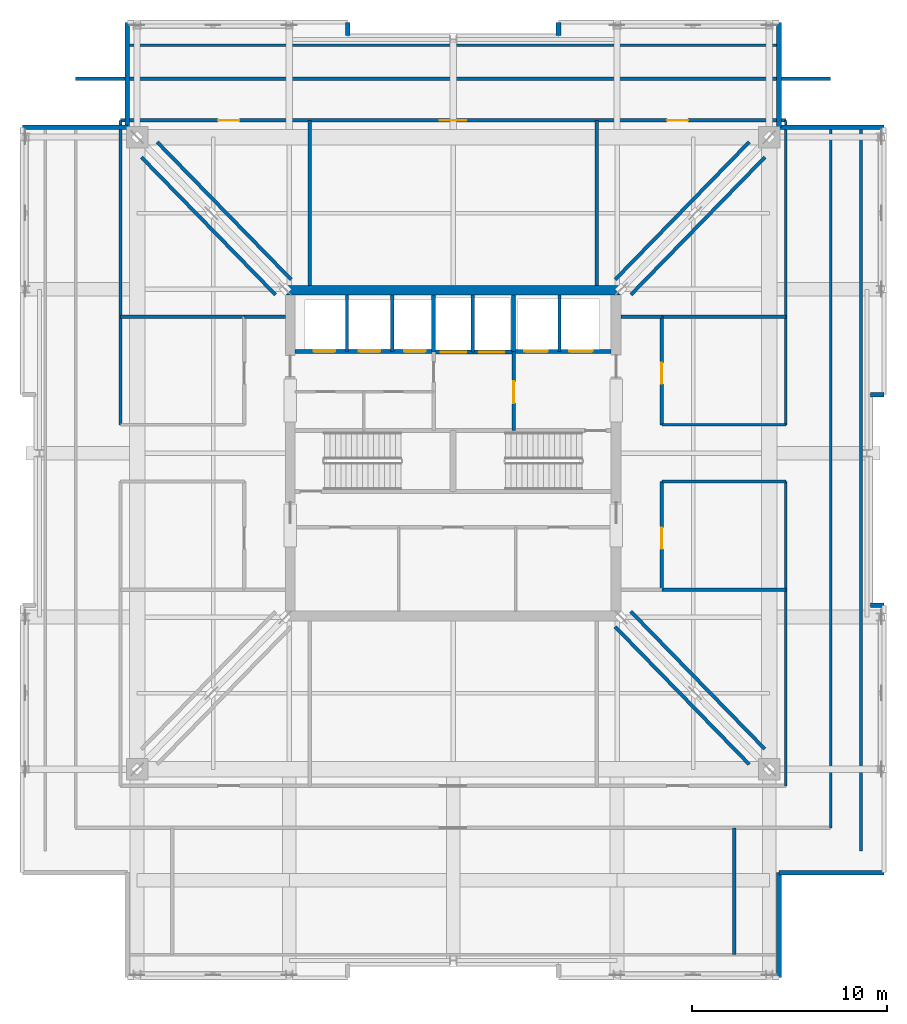
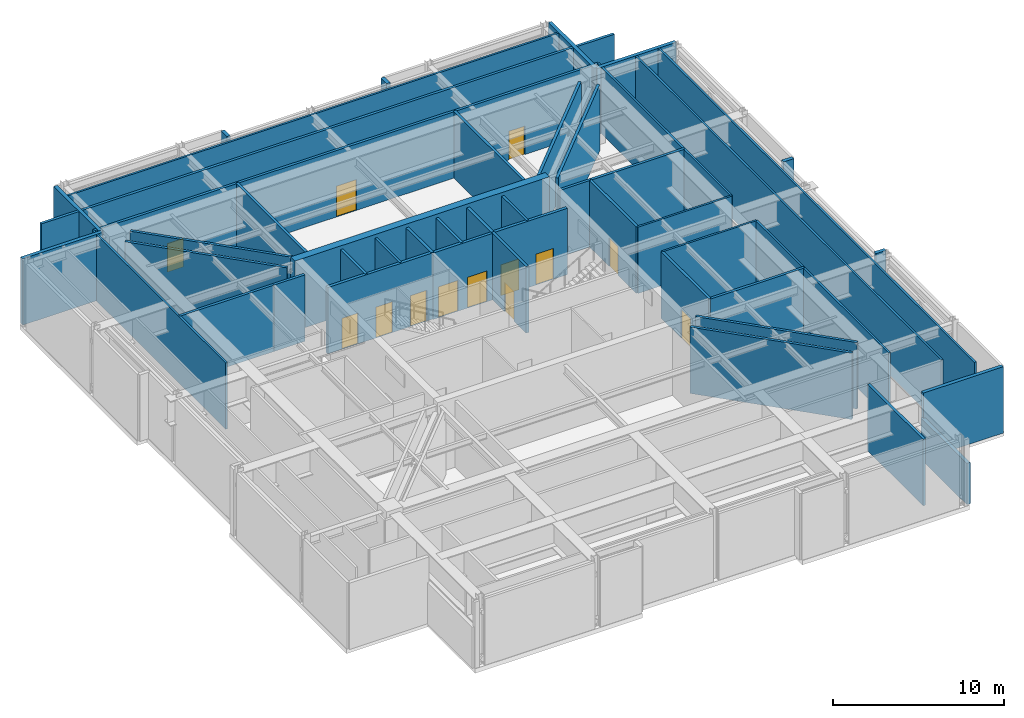
# One storey, part 6 of 10: 47 walls, 13 doors, 13 openings.
"""IFC4 building model written with IfcOpenShell, lengths in metres."""

from ifc_helpers import new_model, si_unit, direction, frame, frame_2d, origin, place, context, subcontext, project, spatial, rectangle, extrude, material, layer, layer_set, type_object, element, fill, save


model = new_model("IFC4")

# Units and contexts
model_context = context("Model", 3, precision=1e-05, world=origin(), true_north=direction((0.0, 1.0)))
body_context = subcontext(model_context, "Body", "Model", "MODEL_VIEW")
ifc_project = project(units=[si_unit("LENGTHUNIT", "METRE"), si_unit("AREAUNIT", "SQUARE_METRE"), si_unit("VOLUMEUNIT", "CUBIC_METRE"), si_unit("PLANEANGLEUNIT", "RADIAN"), si_unit("MASSUNIT", "GRAM", prefix="KILO")], contexts=[model_context])

# Site, building, storey
site_placement = place(None, origin())
site = spatial("IfcSite", under=ifc_project, at=site_placement, CompositionType="ELEMENT")
building_placement = place(site_placement, origin())
building = spatial("IfcBuilding", under=site, at=building_placement, Name="Drelvath Grand Hotel", CompositionType="ELEMENT")
storey_placement = place(building_placement, frame((0.0, 0.0, 260.0)))
storey = spatial("IfcBuildingStorey", under=building, at=storey_placement, Name="L68", CompositionType="ELEMENT", Elevation=260.0)

# Wall, openings, doors
ifc_material_1 = material(Name="Concrete C40/50", Category="concrete")
ifc_layer_1 = layer(ifc_material_1, 0.199951171875)
ifc_layer_set_1 = layer_set([ifc_layer_1], Name="Concrete C40/50")
wall_type_1 = type_object("IfcWallType", Name="Core Hoistway Fire Wall 200", PredefinedType="SOLIDWALL", material=ifc_layer_set_1)
wall_1_placement = place(storey_placement, frame((3.10009765625, 32.219970703125, 0.0), z_axis=(0.0, 0.0, 1.0), x_axis=(1.0, 0.0, 0.0)))
wall_1 = element("IfcWall", 1, at=wall_1_placement, inside=storey, type_object=wall_type_1, Name="L68 FSAE Hoistway Front Wall", PredefinedType="SOLIDWALL", context=body_context, shape_type="SweptSolid", body=[
    extrude(rectangle(XDim=5.0, YDim=0.199951171875, at=frame_2d((2.5, 0.0))), origin(), (0.0, 0.0, 1.0), 4.739990234375),
])
opening_1_placement = place(wall_1_placement, frame((0.550048828125, 0.0, 0.0)))
opening_1 = element("IfcOpeningElement", 2, at=opening_1_placement, cuts=wall_1, Name="Opening LD-FSAE-1", PredefinedType="OPENING", context=body_context, shape_type="SweptSolid", body=[
    extrude(rectangle(XDim=1.199951171875, YDim=2.199951171875, at=frame_2d((0.60009765625, 1.10009765625))), frame((0.0, 0.10986328125, 0.0), z_axis=(0.0, -1.0, 0.0), x_axis=(1.0, 0.0, 0.0)), (0.0, 0.0, 1.0), 0.219970703125),
])
opening_2_placement = place(wall_1_placement, frame((2.85009765625, 0.0, 0.0)))
opening_2 = element("IfcOpeningElement", 3, at=opening_2_placement, cuts=wall_1, Name="Opening LD-FSAE-2", PredefinedType="OPENING", context=body_context, shape_type="SweptSolid", body=[
    extrude(rectangle(XDim=1.199951171875, YDim=2.199951171875, at=frame_2d((0.60009765625, 1.10009765625))), frame((0.0, 0.10986328125, 0.0), z_axis=(0.0, -1.0, 0.0), x_axis=(1.0, 0.0, 0.0)), (0.0, 0.0, 1.0), 0.219970703125),
])
ifc_material_2 = material(Name="Stainless Steel S355", Category="steel")
door_type_1 = type_object("IfcDoorType", Name="FSAE Lift Sliding Landing Door 1200x2200", OperationType="NOTDEFINED", PredefinedType="DOOR", material=ifc_material_2)
door_1_placement = place(opening_1_placement, origin())
door_1 = element("IfcDoor", 4, at=door_1_placement, inside=storey, type_object=door_type_1, Name="L68 Lift FSAE-1 Landing Door", OperationType="SLIDING_TO_LEFT", OverallHeight=2.199951171875, OverallWidth=1.199951171875, PredefinedType="DOOR", context=body_context, shape_type="SweptSolid", body=[
    extrude(rectangle(XDim=1.199951171875, YDim=2.199951171875, at=frame_2d((0.60009765625, 1.10009765625))), frame((0.0, 0.02490234375, 0.0), z_axis=(0.0, -1.0, 0.0), x_axis=(1.0, 0.0, 0.0)), (0.0, 0.0, 1.0), 0.050048828125),
])
fill(opening_1, door_1)
door_2_placement = place(opening_2_placement, origin())
door_2 = element("IfcDoor", 5, at=door_2_placement, inside=storey, type_object=door_type_1, Name="L68 Lift FSAE-2 Landing Door", OperationType="SLIDING_TO_LEFT", OverallHeight=2.199951171875, OverallWidth=1.199951171875, PredefinedType="DOOR", context=body_context, shape_type="SweptSolid", body=[
    extrude(rectangle(XDim=1.199951171875, YDim=2.199951171875, at=frame_2d((0.60009765625, 1.10009765625))), frame((0.0, 0.02490234375, 0.0), z_axis=(0.0, -1.0, 0.0), x_axis=(1.0, 0.0, 0.0)), (0.0, 0.0, 1.0), 0.050048828125),
])
fill(opening_2, door_2)

# Wall
wall_2_placement = place(storey_placement, frame((3.10009765625, 32.219970703125, 0.0), z_axis=(0.0, 0.0, 1.0), x_axis=(0.0, 1.0, 0.0)))
element("IfcWall", 6, at=wall_2_placement, inside=storey, type_object=wall_type_1, Name="L68 FSAE Hoistway West Wall", PredefinedType="SOLIDWALL", context=body_context, shape_type="SweptSolid", body=[
    extrude(rectangle(XDim=2.880126953125, YDim=0.199951171875, at=frame_2d((1.43994140625, 0.0))), origin(), (0.0, 0.0, 1.0), 4.739990234375),
])

# Wall, openings, doors
wall_3_placement = place(storey_placement, frame((-1.0, 32.179931640625, 0.0), z_axis=(0.0, 0.0, 1.0), x_axis=(1.0, 0.0, 0.0)))
wall_3 = element("IfcWall", 7, at=wall_3_placement, inside=storey, type_object=wall_type_1, Name="L68 Service Lift Hoistway Wall", PredefinedType="SOLIDWALL", context=body_context, shape_type="SweptSolid", body=[
    extrude(rectangle(XDim=4.10009765625, YDim=0.199951171875, at=frame_2d((2.050048828125, 0.0))), origin(), (0.0, 0.0, 1.0), 4.739990234375),
])
opening_3_placement = place(wall_3_placement, frame((0.3701171875, 0.0, 0.0)))
opening_3 = element("IfcOpeningElement", 8, at=opening_3_placement, cuts=wall_3, Name="Opening LD-SV-2", PredefinedType="OPENING", context=body_context, shape_type="SweptSolid", body=[
    extrude(rectangle(XDim=1.300048828125, YDim=2.199951171875, at=frame_2d((0.64990234375, 1.10009765625))), frame((0.0, 0.10986328125, 0.0), z_axis=(0.0, -1.0, 0.0), x_axis=(1.0, 0.0, 0.0)), (0.0, 0.0, 1.0), 0.219970703125),
])
opening_4_placement = place(wall_3_placement, frame((2.330078125, 0.0, 0.0)))
opening_4 = element("IfcOpeningElement", 9, at=opening_4_placement, cuts=wall_3, Name="Opening LD-SV-1", PredefinedType="OPENING", context=body_context, shape_type="SweptSolid", body=[
    extrude(rectangle(XDim=1.300048828125, YDim=2.199951171875, at=frame_2d((0.64990234375, 1.10009765625))), frame((0.0, 0.10986328125, 0.0), z_axis=(0.0, -1.0, 0.0), x_axis=(1.0, 0.0, 0.0)), (0.0, 0.0, 1.0), 0.219970703125),
])
door_type_2 = type_object("IfcDoorType", Name="Service Lift Sliding Landing Door 1300x2200", OperationType="NOTDEFINED", PredefinedType="DOOR", material=ifc_material_2)
door_3_placement = place(opening_3_placement, origin())
door_3 = element("IfcDoor", 10, at=door_3_placement, inside=storey, type_object=door_type_2, Name="L68 Lift SV-2 Landing Door", OperationType="SLIDING_TO_LEFT", OverallHeight=2.199951171875, OverallWidth=1.300048828125, PredefinedType="DOOR", context=body_context, shape_type="SweptSolid", body=[
    extrude(rectangle(XDim=1.300048828125, YDim=2.199951171875, at=frame_2d((0.64990234375, 1.10009765625))), frame((0.0, 0.02490234375, 0.0), z_axis=(0.0, -1.0, 0.0), x_axis=(1.0, 0.0, 0.0)), (0.0, 0.0, 1.0), 0.050048828125),
])
fill(opening_3, door_3)
door_4_placement = place(opening_4_placement, origin())
door_4 = element("IfcDoor", 11, at=door_4_placement, inside=storey, type_object=door_type_2, Name="L68 Lift SV-1 Landing Door", OperationType="SLIDING_TO_LEFT", OverallHeight=2.199951171875, OverallWidth=1.300048828125, PredefinedType="DOOR", context=body_context, shape_type="SweptSolid", body=[
    extrude(rectangle(XDim=1.300048828125, YDim=2.199951171875, at=frame_2d((0.64990234375, 1.10009765625))), frame((0.0, 0.02490234375, 0.0), z_axis=(0.0, -1.0, 0.0), x_axis=(1.0, 0.0, 0.0)), (0.0, 0.0, 1.0), 0.050048828125),
])
fill(opening_4, door_4)

# Wall
wall_4_placement = place(storey_placement, frame((-1.0, 32.179931640625, 0.0), z_axis=(0.0, 0.0, 1.0), x_axis=(0.0, 1.0, 0.0)))
element("IfcWall", 12, at=wall_4_placement, inside=storey, type_object=wall_type_1, Name="L68 Service Lift West Wall", PredefinedType="SOLIDWALL", context=body_context, shape_type="SweptSolid", body=[
    extrude(rectangle(XDim=2.920166015625, YDim=0.199951171875, at=frame_2d((1.4599609375, 0.0))), origin(), (0.0, 0.0, 1.0), 4.739990234375),
])

# Wall, openings, doors
wall_5_placement = place(storey_placement, frame((-8.10009765625, 32.219970703125, 0.0), z_axis=(0.0, 0.0, 1.0), x_axis=(1.0, 0.0, 0.0)))
wall_5 = element("IfcWall", 13, at=wall_5_placement, inside=storey, type_object=wall_type_1, Name="L68 Bank 3 Hoistway Wall", PredefinedType="SOLIDWALL", context=body_context, shape_type="SweptSolid", body=[
    extrude(rectangle(XDim=7.10009765625, YDim=0.199951171875, at=frame_2d((3.550048828125, 0.0))), origin(), (0.0, 0.0, 1.0), 4.739990234375),
])
opening_5_placement = place(wall_5_placement, frame((0.949951171875, 0.0, 0.0)))
opening_5 = element("IfcOpeningElement", 14, at=opening_5_placement, cuts=wall_5, Name="Opening LD-PE-7", PredefinedType="OPENING", context=body_context, shape_type="SweptSolid", body=[
    extrude(rectangle(XDim=1.10009765625, YDim=2.199951171875, at=frame_2d((0.550048828125, 1.10009765625))), frame((0.0, 0.10986328125, 0.0), z_axis=(0.0, -1.0, 0.0), x_axis=(1.0, 0.0, 0.0)), (0.0, 0.0, 1.0), 0.219970703125),
])
opening_6_placement = place(wall_5_placement, frame((3.27001953125, 0.0, 0.0)))
opening_6 = element("IfcOpeningElement", 15, at=opening_6_placement, cuts=wall_5, Name="Opening LD-PE-8", PredefinedType="OPENING", context=body_context, shape_type="SweptSolid", body=[
    extrude(rectangle(XDim=1.10009765625, YDim=2.199951171875, at=frame_2d((0.550048828125, 1.10009765625))), frame((0.0, 0.10986328125, 0.0), z_axis=(0.0, -1.0, 0.0), x_axis=(1.0, 0.0, 0.0)), (0.0, 0.0, 1.0), 0.219970703125),
])
opening_7_placement = place(wall_5_placement, frame((5.590087890625, 0.0, 0.0)))
opening_7 = element("IfcOpeningElement", 16, at=opening_7_placement, cuts=wall_5, Name="Opening LD-PE-9", PredefinedType="OPENING", context=body_context, shape_type="SweptSolid", body=[
    extrude(rectangle(XDim=1.10009765625, YDim=2.199951171875, at=frame_2d((0.550048828125, 1.10009765625))), frame((0.0, 0.10986328125, 0.0), z_axis=(0.0, -1.0, 0.0), x_axis=(1.0, 0.0, 0.0)), (0.0, 0.0, 1.0), 0.219970703125),
])
door_type_3 = type_object("IfcDoorType", Name="Passenger Lift Sliding Landing Door 1100x2200", OperationType="NOTDEFINED", PredefinedType="DOOR", material=ifc_material_2)
door_5_placement = place(opening_5_placement, origin())
door_5 = element("IfcDoor", 17, at=door_5_placement, inside=storey, type_object=door_type_3, Name="L68 Lift PE-7 Landing Door", OperationType="SLIDING_TO_LEFT", OverallHeight=2.199951171875, OverallWidth=1.10009765625, PredefinedType="DOOR", context=body_context, shape_type="SweptSolid", body=[
    extrude(rectangle(XDim=1.10009765625, YDim=2.199951171875, at=frame_2d((0.550048828125, 1.10009765625))), frame((0.0, 0.02490234375, 0.0), z_axis=(0.0, -1.0, 0.0), x_axis=(1.0, 0.0, 0.0)), (0.0, 0.0, 1.0), 0.050048828125),
])
fill(opening_5, door_5)
door_6_placement = place(opening_6_placement, origin())
door_6 = element("IfcDoor", 18, at=door_6_placement, inside=storey, type_object=door_type_3, Name="L68 Lift PE-8 Landing Door", OperationType="SLIDING_TO_LEFT", OverallHeight=2.199951171875, OverallWidth=1.10009765625, PredefinedType="DOOR", context=body_context, shape_type="SweptSolid", body=[
    extrude(rectangle(XDim=1.10009765625, YDim=2.199951171875, at=frame_2d((0.550048828125, 1.10009765625))), frame((0.0, 0.02490234375, 0.0), z_axis=(0.0, -1.0, 0.0), x_axis=(1.0, 0.0, 0.0)), (0.0, 0.0, 1.0), 0.050048828125),
])
fill(opening_6, door_6)
door_7_placement = place(opening_7_placement, origin())
door_7 = element("IfcDoor", 19, at=door_7_placement, inside=storey, type_object=door_type_3, Name="L68 Lift PE-9 Landing Door", OperationType="SLIDING_TO_LEFT", OverallHeight=2.199951171875, OverallWidth=1.10009765625, PredefinedType="DOOR", context=body_context, shape_type="SweptSolid", body=[
    extrude(rectangle(XDim=1.10009765625, YDim=2.199951171875, at=frame_2d((0.550048828125, 1.10009765625))), frame((0.0, 0.02490234375, 0.0), z_axis=(0.0, -1.0, 0.0), x_axis=(1.0, 0.0, 0.0)), (0.0, 0.0, 1.0), 0.050048828125),
])
fill(opening_7, door_7)

# Walls
ifc_material_3 = material(Name="Gypsum Fireboard Partition")
ifc_layer_2 = layer(ifc_material_3, 0.1650390625)
ifc_layer_set_2 = layer_set([ifc_layer_2], Name="Gypsum Fireboard Partition")
wall_type_2 = type_object("IfcWallType", Name="Core Shaft Partition 165", PredefinedType="PARTITIONING", material=ifc_layer_set_2)
wall_6_placement = place(storey_placement, frame((5.449951171875, 32.219970703125, 0.0), z_axis=(0.0, 0.0, 1.0), x_axis=(0.0, 1.0, 0.0)))
element("IfcWall", 20, at=wall_6_placement, inside=storey, type_object=wall_type_2, Name="L68 FSAE Hoistway Divider", PredefinedType="PARTITIONING", context=body_context, shape_type="SweptSolid", body=[
    extrude(rectangle(XDim=2.880126953125, YDim=0.1650390625, at=frame_2d((1.43994140625, 0.0))), origin(), (0.0, 0.0, 1.0), 4.739990234375),
])
wall_7_placement = place(storey_placement, frame((1.0, 32.179931640625, 0.0), z_axis=(0.0, 0.0, 1.0), x_axis=(0.0, 1.0, 0.0)))
element("IfcWall", 21, at=wall_7_placement, inside=storey, type_object=wall_type_2, Name="L68 Service Lift Divider", PredefinedType="PARTITIONING", context=body_context, shape_type="SweptSolid", body=[
    extrude(rectangle(XDim=2.920166015625, YDim=0.1650390625, at=frame_2d((1.4599609375, 0.0))), origin(), (0.0, 0.0, 1.0), 4.739990234375),
])
for number, where, z_axis, x_axis, name in (
    (22, (-5.43994140625, 32.219970703125, 0.0), (0.0, 0.0, 1.0), (0.0, 1.0, 0.0), "L68 Lift PE-7/8 Divider"),
    (23, (-3.1201171875, 32.219970703125, 0.0), (0.0, 0.0, 1.0), (0.0, 1.0, 0.0), "L68 Lift PE-8/9 Divider"),
):
    element("IfcWall", number, at=place(storey_placement, frame(where, z_axis=z_axis, x_axis=x_axis)), inside=storey, type_object=wall_type_2, Name=name, PredefinedType="PARTITIONING", context=body_context, shape_type="SweptSolid", body=[
        extrude(rectangle(XDim=2.880126953125, YDim=0.1650390625, at=frame_2d((1.43994140625, 0.0))), origin(), (0.0, 0.0, 1.0), 4.739990234375),
    ])
ifc_layer_3 = layer(ifc_material_3, 0.135009765625)
ifc_layer_set_3 = layer_set([ifc_layer_3], Name="Gypsum Fireboard Partition")
wall_type_3 = type_object("IfcWallType", Name="Corridor Fire Barrier Wall 135", PredefinedType="PARTITIONING", material=ifc_layer_set_3)
wall_8_placement = place(storey_placement, frame((20.89990234375, 6.60009765625, 0.0), z_axis=(0.0, 0.0, 1.0), x_axis=(0.0, 1.0, 0.0)))
element("IfcWall", 24, at=wall_8_placement, inside=storey, type_object=wall_type_3, Name="L68 East Belt Plenum Wall", PredefinedType="PARTITIONING", context=body_context, shape_type="SweptSolid", body=[
    extrude(rectangle(XDim=36.97998046875, YDim=0.135009765625, at=frame_2d((18.489990234375, 0.0))), origin(), (0.0, 0.0, 1.0), 4.739990234375),
])
wall_9_placement = place(storey_placement, frame((-16.580078125, 47.89990234375, 0.0), z_axis=(0.0, 0.0, 1.0), x_axis=(1.0, 0.0, 0.0)))
element("IfcWall", 25, at=wall_9_placement, inside=storey, type_object=wall_type_3, Name="L68 North Belt Plenum Wall", PredefinedType="PARTITIONING", context=body_context, shape_type="SweptSolid", body=[
    extrude(rectangle(XDim=33.16015625, YDim=0.135009765625, at=frame_2d((16.580078125, 0.0))), origin(), (0.0, 0.0, 1.0), 4.739990234375),
])
for number, where, z_axis, x_axis, name in (
    (26, (10.699951171875, 25.550048828125, 0.0), (0.0, 0.0, 1.0), (1.0, 0.0, 0.0), "L68 East Cross-Arm South Wall"),
    (27, (10.699951171875, 28.449951171875, 0.0), (0.0, 0.0, 1.0), (1.0, 0.0, 0.0), "L68 East Cross-Arm North Wall"),
):
    element("IfcWall", number, at=place(storey_placement, frame(where, z_axis=z_axis, x_axis=x_axis)), inside=storey, type_object=wall_type_3, Name=name, PredefinedType="PARTITIONING", context=body_context, shape_type="SweptSolid", body=[
        extrude(rectangle(XDim=6.35009765625, YDim=0.135009765625, at=frame_2d((3.175048828125, 0.0))), origin(), (0.0, 0.0, 1.0), 4.739990234375),
    ])
wall_10_placement = place(storey_placement, frame((-17.050048828125, 28.449951171875, 0.0), z_axis=(0.0, 0.0, 1.0), x_axis=(0.0, 1.0, 0.0)))
element("IfcWall", 28, at=wall_10_placement, inside=storey, type_object=wall_type_3, Name="L68 West Outer Leg Inner N", PredefinedType="PARTITIONING", context=body_context, shape_type="SweptSolid", body=[
    extrude(rectangle(XDim=15.60009765625, YDim=0.135009765625, at=frame_2d((7.800048828125, 0.0))), origin(), (0.0, 0.0, 1.0), 4.739990234375),
])
wall_11_placement = place(storey_placement, frame((19.35009765625, 7.800048828125, 0.0), z_axis=(0.0, 0.0, 1.0), x_axis=(0.0, 1.0, 0.0)))
element("IfcWall", 29, at=wall_11_placement, inside=storey, type_object=wall_type_3, Name="L68 East Outer Leg Outer Wall", PredefinedType="PARTITIONING", context=body_context, shape_type="SweptSolid", body=[
    extrude(rectangle(XDim=35.780029296875, YDim=0.135009765625, at=frame_2d((17.89013671875, 0.0))), origin(), (0.0, 0.0, 1.0), 4.739990234375),
])
for number, where, z_axis, x_axis, name in (
    (30, (17.050048828125, 9.949951171875, 0.0), (0.0, 0.0, 1.0), (0.0, 1.0, 0.0), "L68 East Outer Leg Inner S"),
    (31, (17.050048828125, 28.449951171875, 0.0), (0.0, 0.0, 1.0), (0.0, 1.0, 0.0), "L68 East Outer Leg Inner N"),
):
    element("IfcWall", number, at=place(storey_placement, frame(where, z_axis=z_axis, x_axis=x_axis)), inside=storey, type_object=wall_type_3, Name=name, PredefinedType="PARTITIONING", context=body_context, shape_type="SweptSolid", body=[
        extrude(rectangle(XDim=15.60009765625, YDim=0.135009765625, at=frame_2d((7.800048828125, 0.0))), origin(), (0.0, 0.0, 1.0), 4.739990234375),
    ])

# Wall, opening, door
ifc_layer_4 = layer(ifc_material_3, 0.179931640625)
ifc_layer_set_4 = layer_set([ifc_layer_4], Name="Gypsum Fireboard Partition")
wall_type_4 = type_object("IfcWallType", Name="FSAE Smoke Lobby Fire Wall 180", PredefinedType="SOLIDWALL", material=ifc_layer_set_4)
wall_12_placement = place(storey_placement, frame((3.10009765625, 28.159912109375, 0.0), z_axis=(0.0, 0.0, 1.0), x_axis=(0.0, 1.0, 0.0)))
wall_12 = element("IfcWall", 32, at=wall_12_placement, inside=storey, type_object=wall_type_4, Name="L68 FSAE Smoke Lobby West Wall", PredefinedType="SOLIDWALL", context=body_context, shape_type="SweptSolid", body=[
    extrude(rectangle(XDim=4.06005859375, YDim=0.179931640625, at=frame_2d((2.030029296875, 0.0))), origin(), (0.0, 0.0, 1.0), 4.739990234375),
])
opening_8_placement = place(wall_12_placement, frame((1.39990234375, 0.0, 0.0)))
opening_8 = element("IfcOpeningElement", 33, at=opening_8_placement, cuts=wall_12, Name="Opening D-L68-005", PredefinedType="OPENING", context=body_context, shape_type="SweptSolid", body=[
    extrude(rectangle(XDim=1.1201171875, YDim=2.10009765625, at=frame_2d((0.56005859375, 1.050048828125))), frame((0.0, 0.099853515625, 0.0), z_axis=(0.0, -1.0, 0.0), x_axis=(1.0, 0.0, 0.0)), (0.0, 0.0, 1.0), 0.199951171875),
])
ifc_material_4 = material(Name="Painted Steel S275", Category="steel")
door_type_4 = type_object("IfcDoorType", Name="FSAE Smoke Lobby Fire Door 1120x2100", OperationType="NOTDEFINED", PredefinedType="DOOR", material=ifc_material_4)
door_8_placement = place(opening_8_placement, origin())
door_8 = element("IfcDoor", 34, at=door_8_placement, inside=storey, type_object=door_type_4, Name="L68 FSAE Lobby Service Vestibule Door", OperationType="SINGLE_SWING_RIGHT", OverallHeight=2.10009765625, OverallWidth=1.1201171875, PredefinedType="DOOR", context=body_context, shape_type="SweptSolid", body=[
    extrude(rectangle(XDim=1.1201171875, YDim=2.10009765625, at=frame_2d((0.56005859375, 1.050048828125))), frame((0.0, 0.02490234375, 0.0), z_axis=(0.0, -1.0, 0.0), x_axis=(1.0, 0.0, 0.0)), (0.0, 0.0, 1.0), 0.050048828125),
])
fill(opening_8, door_8)

# Walls
for number, where, z_axis, x_axis, name in (
    (35, (8.3037109375, 18.101806640625, 0.0), (0.0, 0.0, 1.0), (0.697854936738, -0.716239127157, 0.0), "L68 Truss SE Fire Bulkhead A"),
    (36, (9.105712890625, 18.88330078125, 0.0), (0.0, 0.0, 1.0), (0.697867337648, -0.71622704434, 0.0), "L68 Truss SE Fire Bulkhead B"),
    (37, (-8.3037109375, 35.898193359375, 0.0), (0.0, 0.0, 1.0), (-0.697854936738, 0.716239127157, 0.0), "L68 Truss NW Fire Bulkhead A"),
    (38, (-9.105712890625, 35.11669921875, 0.0), (0.0, 0.0, 1.0), (-0.697867337648, 0.71622704434, 0.0), "L68 Truss NW Fire Bulkhead B"),
    (39, (9.105712890625, 35.11669921875, 0.0), (0.0, 0.0, 1.0), (0.697867337648, 0.71622704434, 0.0), "L68 Truss NE Fire Bulkhead A"),
    (40, (8.3037109375, 35.898193359375, 0.0), (0.0, 0.0, 1.0), (0.697854936738, 0.716239127157, 0.0), "L68 Truss NE Fire Bulkhead B"),
):
    element("IfcWall", number, at=place(storey_placement, frame(where, z_axis=z_axis, x_axis=x_axis)), inside=storey, type_object=wall_type_4, Name=name, PredefinedType="SOLIDWALL", context=body_context, shape_type="SweptSolid", body=[
        extrude(rectangle(XDim=9.84033203125, YDim=0.179931640625, at=frame_2d((4.920166015625, 0.0))), origin(), (0.0, 0.0, 1.0), 4.739990234375),
    ])
wall_13_placement = place(storey_placement, frame((-10.699951171875, 34.0, 0.0), z_axis=(0.0, 0.0, 1.0), x_axis=(1.0, 0.0, 0.0)))
element("IfcWall", 41, at=wall_13_placement, inside=storey, type_object=wall_type_4, Name="L68 Plant West Foyer North End", PredefinedType="SOLIDWALL", context=body_context, shape_type="SweptSolid", body=[
    extrude(rectangle(XDim=2.099853515625, YDim=0.179931640625, at=frame_2d((1.0498046875, 0.0))), origin(), (0.0, 0.0, 1.0), 4.739990234375),
])

# Wall, opening, door
wall_14_placement = place(storey_placement, frame((10.699951171875, 20.0, 0.0), z_axis=(0.0, 0.0, 1.0), x_axis=(0.0, 1.0, 0.0)))
wall_14 = element("IfcWall", 42, at=wall_14_placement, inside=storey, type_object=wall_type_4, Name="L68 Plant East Foyer Lower Wall", PredefinedType="SOLIDWALL", context=body_context, shape_type="SweptSolid", body=[
    extrude(rectangle(XDim=5.550048828125, YDim=0.179931640625, at=frame_2d((2.77490234375, 0.0))), origin(), (0.0, 0.0, 1.0), 4.739990234375),
])
opening_9_placement = place(wall_14_placement, frame((2.10009765625, 0.0, 0.0)))
opening_9 = element("IfcOpeningElement", 43, at=opening_9_placement, cuts=wall_14, Name="Opening D-L68-026", PredefinedType="OPENING", context=body_context, shape_type="SweptSolid", body=[
    extrude(rectangle(XDim=1.080078125, YDim=2.0400390625, at=frame_2d((0.5400390625, 1.02001953125))), frame((0.0, 0.099853515625, 0.0), z_axis=(0.0, -1.0, 0.0), x_axis=(1.0, 0.0, 0.0)), (0.0, 0.0, 1.0), 0.199951171875),
])
door_type_5 = type_object("IfcDoorType", Name="Core Corridor Fire Door 1080x2100", OperationType="NOTDEFINED", PredefinedType="DOOR", material=ifc_material_4)
door_9_placement = place(opening_9_placement, origin())
door_9 = element("IfcDoor", 44, at=door_9_placement, inside=storey, type_object=door_type_5, Name="L68 Booster Pump Plant Door", OperationType="SINGLE_SWING_LEFT", OverallHeight=2.0400390625, OverallWidth=1.080078125, PredefinedType="DOOR", context=body_context, shape_type="SweptSolid", body=[
    extrude(rectangle(XDim=1.080078125, YDim=2.0400390625, at=frame_2d((0.5400390625, 1.02001953125))), frame((0.0, 0.02490234375, 0.0), z_axis=(0.0, -1.0, 0.0), x_axis=(1.0, 0.0, 0.0)), (0.0, 0.0, 1.0), 0.050048828125),
])
fill(opening_9, door_9)

wall_15_placement = place(storey_placement, frame((10.699951171875, 28.449951171875, 0.0), z_axis=(0.0, 0.0, 1.0), x_axis=(0.0, 1.0, 0.0)))
wall_15 = element("IfcWall", 45, at=wall_15_placement, inside=storey, type_object=wall_type_4, Name="L68 Plant East Foyer Upper Wall", PredefinedType="SOLIDWALL", context=body_context, shape_type="SweptSolid", body=[
    extrude(rectangle(XDim=5.550048828125, YDim=0.179931640625, at=frame_2d((2.77490234375, 0.0))), origin(), (0.0, 0.0, 1.0), 4.739990234375),
])
opening_10_placement = place(wall_15_placement, frame((2.10009765625, 0.0, 0.0)))
opening_10 = element("IfcOpeningElement", 46, at=opening_10_placement, cuts=wall_15, Name="Opening D-L68-027", PredefinedType="OPENING", context=body_context, shape_type="SweptSolid", body=[
    extrude(rectangle(XDim=1.080078125, YDim=2.0400390625, at=frame_2d((0.5400390625, 1.02001953125))), frame((0.0, 0.099853515625, 0.0), z_axis=(0.0, -1.0, 0.0), x_axis=(1.0, 0.0, 0.0)), (0.0, 0.0, 1.0), 0.199951171875),
])
door_10_placement = place(opening_10_placement, origin())
door_10 = element("IfcDoor", 47, at=door_10_placement, inside=storey, type_object=door_type_5, Name="L68 Standpipe Pump Plant Door", OperationType="SINGLE_SWING_RIGHT", OverallHeight=2.0400390625, OverallWidth=1.080078125, PredefinedType="DOOR", context=body_context, shape_type="SweptSolid", body=[
    extrude(rectangle(XDim=1.080078125, YDim=2.0400390625, at=frame_2d((0.5400390625, 1.02001953125))), frame((0.0, 0.02490234375, 0.0), z_axis=(0.0, -1.0, 0.0), x_axis=(1.0, 0.0, 0.0)), (0.0, 0.0, 1.0), 0.050048828125),
])
fill(opening_10, door_10)

# Wall
wall_16_placement = place(storey_placement, frame((8.60009765625, 34.0, 0.0), z_axis=(0.0, 0.0, 1.0), x_axis=(1.0, 0.0, 0.0)))
element("IfcWall", 48, at=wall_16_placement, inside=storey, type_object=wall_type_4, Name="L68 Plant East Foyer North End", PredefinedType="SOLIDWALL", context=body_context, shape_type="SweptSolid", body=[
    extrude(rectangle(XDim=2.099853515625, YDim=0.179931640625, at=frame_2d((1.0498046875, 0.0))), origin(), (0.0, 0.0, 1.0), 4.739990234375),
])

# Wall, openings, doors
wall_17_placement = place(storey_placement, frame((-17.050048828125, 44.050048828125, 0.0), z_axis=(0.0, 0.0, 1.0), x_axis=(1.0, 0.0, 0.0)))
wall_17 = element("IfcWall", 49, at=wall_17_placement, inside=storey, type_object=wall_type_4, Name="L68 North Connector Inner Wall", PredefinedType="SOLIDWALL", context=body_context, shape_type="SweptSolid", body=[
    extrude(rectangle(XDim=34.10009765625, YDim=0.179931640625, at=frame_2d((17.050048828125, 0.0))), origin(), (0.0, 0.0, 1.0), 4.739990234375),
])
opening_11_placement = place(wall_17_placement, frame((16.3701171875, 0.0, 0.0)))
opening_11 = element("IfcOpeningElement", 50, at=opening_11_placement, cuts=wall_17, Name="Opening D-L68-023", PredefinedType="OPENING", context=body_context, shape_type="SweptSolid", body=[
    extrude(rectangle(XDim=1.360107421875, YDim=2.199951171875, at=frame_2d((0.68017578125, 1.10009765625))), frame((0.0, 0.099853515625, 0.0), z_axis=(0.0, -1.0, 0.0), x_axis=(1.0, 0.0, 0.0)), (0.0, 0.0, 1.0), 0.199951171875),
])
opening_12_placement = place(wall_17_placement, frame((5.010009765625, 0.0, 0.0)))
opening_12 = element("IfcOpeningElement", 51, at=opening_12_placement, cuts=wall_17, Name="Opening D-L68-030", PredefinedType="OPENING", context=body_context, shape_type="SweptSolid", body=[
    extrude(rectangle(XDim=1.080078125, YDim=2.0400390625, at=frame_2d((0.5400390625, 1.02001953125))), frame((0.0, 0.099853515625, 0.0), z_axis=(0.0, -1.0, 0.0), x_axis=(1.0, 0.0, 0.0)), (0.0, 0.0, 1.0), 0.199951171875),
])
opening_13_placement = place(wall_17_placement, frame((28.010009765625, 0.0, 0.0)))
opening_13 = element("IfcOpeningElement", 52, at=opening_13_placement, cuts=wall_17, Name="Opening D-L68-031", PredefinedType="OPENING", context=body_context, shape_type="SweptSolid", body=[
    extrude(rectangle(XDim=1.080078125, YDim=2.0400390625, at=frame_2d((0.5400390625, 1.02001953125))), frame((0.0, 0.099853515625, 0.0), z_axis=(0.0, -1.0, 0.0), x_axis=(1.0, 0.0, 0.0)), (0.0, 0.0, 1.0), 0.199951171875),
])
door_11_placement = place(opening_12_placement, origin())
door_11 = element("IfcDoor", 53, at=door_11_placement, inside=storey, type_object=door_type_5, Name="L68 UPS Plant Door", OperationType="SINGLE_SWING_LEFT", OverallHeight=2.0400390625, OverallWidth=1.080078125, PredefinedType="DOOR", context=body_context, shape_type="SweptSolid", body=[
    extrude(rectangle(XDim=1.080078125, YDim=2.0400390625, at=frame_2d((0.5400390625, 1.02001953125))), frame((0.0, 0.02490234375, 0.0), z_axis=(0.0, -1.0, 0.0), x_axis=(1.0, 0.0, 0.0)), (0.0, 0.0, 1.0), 0.050048828125),
])
fill(opening_12, door_11)
door_12_placement = place(opening_13_placement, origin())
door_12 = element("IfcDoor", 54, at=door_12_placement, inside=storey, type_object=door_type_5, Name="L68 Substation Plant Door", OperationType="SINGLE_SWING_RIGHT", OverallHeight=2.0400390625, OverallWidth=1.080078125, PredefinedType="DOOR", context=body_context, shape_type="SweptSolid", body=[
    extrude(rectangle(XDim=1.080078125, YDim=2.0400390625, at=frame_2d((0.5400390625, 1.02001953125))), frame((0.0, 0.02490234375, 0.0), z_axis=(0.0, -1.0, 0.0), x_axis=(1.0, 0.0, 0.0)), (0.0, 0.0, 1.0), 0.050048828125),
])
fill(opening_13, door_12)
door_type_6 = type_object("IfcDoorType", Name="Plant Equipment Double Fire Door 1360x2200", OperationType="NOTDEFINED", PredefinedType="DOOR", material=ifc_material_4)
door_13_placement = place(opening_11_placement, origin())
door_13 = element("IfcDoor", 55, at=door_13_placement, inside=storey, type_object=door_type_6, Name="L68 North Refuge Area Door", OperationType="SINGLE_SWING_RIGHT", OverallHeight=2.199951171875, OverallWidth=1.360107421875, PredefinedType="DOOR", context=body_context, shape_type="SweptSolid", body=[
    extrude(rectangle(XDim=1.360107421875, YDim=2.199951171875, at=frame_2d((0.68017578125, 1.10009765625))), frame((0.0, 0.02490234375, 0.0), z_axis=(0.0, -1.0, 0.0), x_axis=(1.0, 0.0, 0.0)), (0.0, 0.0, 1.0), 0.050048828125),
])
fill(opening_11, door_13)

# Walls
wall_18_placement = place(storey_placement, frame((-19.35009765625, 46.199951171875, 0.0), z_axis=(0.0, 0.0, 1.0), x_axis=(1.0, 0.0, 0.0)))
element("IfcWall", 56, at=wall_18_placement, inside=storey, type_object=wall_type_4, Name="L68 North Connector Outer Wall", PredefinedType="SOLIDWALL", context=body_context, shape_type="SweptSolid", body=[
    extrude(rectangle(XDim=38.7001953125, YDim=0.179931640625, at=frame_2d((19.35009765625, 0.0))), origin(), (0.0, 0.0, 1.0), 4.739990234375),
])
wall_19_placement = place(storey_placement, frame((14.39990234375, 1.300048828125, 0.0), z_axis=(0.0, 0.0, 1.0), x_axis=(0.0, 1.0, 0.0)))
element("IfcWall", 57, at=wall_19_placement, inside=storey, type_object=wall_type_4, Name="L68 South Apron Refuge East Wall", PredefinedType="SOLIDWALL", context=body_context, shape_type="SweptSolid", body=[
    extrude(rectangle(XDim=6.5, YDim=0.179931640625, at=frame_2d((3.25, 0.0))), origin(), (0.0, 0.0, 1.0), 4.739990234375),
])
for number, where, z_axis, x_axis, name in (
    (58, (-7.35009765625, 35.60009765625, 0.0), (0.0, 0.0, 1.0), (0.0, 1.0, 0.0), "L68 North Refuge Inner West Wall"),
    (59, (7.35009765625, 35.60009765625, 0.0), (0.0, 0.0, 1.0), (0.0, 1.0, 0.0), "L68 North Refuge Inner East Wall"),
):
    element("IfcWall", number, at=place(storey_placement, frame(where, z_axis=z_axis, x_axis=x_axis)), inside=storey, type_object=wall_type_4, Name=name, PredefinedType="SOLIDWALL", context=body_context, shape_type="SweptSolid", body=[
        extrude(rectangle(XDim=8.449951171875, YDim=0.179931640625, at=frame_2d((4.22509765625, 0.0))), origin(), (0.0, 0.0, 1.0), 4.739990234375),
    ])
for number, where, z_axis, x_axis, name in (
    (60, (-17.050048828125, 34.0, 0.0), (0.0, 0.0, 1.0), (1.0, 0.0, 0.0), "L68 West Inner Plant North Wall"),
    (61, (10.699951171875, 20.0, 0.0), (0.0, 0.0, 1.0), (1.0, 0.0, 0.0), "L68 East Inner Plant South Wall"),
    (62, (10.699951171875, 34.0, 0.0), (0.0, 0.0, 1.0), (1.0, 0.0, 0.0), "L68 East Inner Plant North Wall"),
):
    element("IfcWall", number, at=place(storey_placement, frame(where, z_axis=z_axis, x_axis=x_axis)), inside=storey, type_object=wall_type_4, Name=name, PredefinedType="SOLIDWALL", context=body_context, shape_type="SweptSolid", body=[
        extrude(rectangle(XDim=6.35009765625, YDim=0.179931640625, at=frame_2d((3.175048828125, 0.0))), origin(), (0.0, 0.0, 1.0), 4.739990234375),
    ])
ifc_material_5 = material(Name="Pale-Metal Insulated Aluminium Spandrel Assembly", Category="aluminium")
ifc_layer_5 = layer(ifc_material_5, 0.239990234375)
ifc_layer_set_5 = layer_set([ifc_layer_5], Name="Pale-Metal Insulated Aluminium Spandrel Assembly")
wall_type_5 = type_object("IfcWallType", Name="Tower Insulated Metal Spandrel Closure Wall 240", PredefinedType="STANDARD", material=ifc_layer_set_5)
for number, where, z_axis, x_axis, name in (
    (63, (-22.080078125, 43.699951171875, 0.0), (0.0, 0.0, 1.0), (1.0, 0.0, 0.0), "L68 Notched Corner Return Spandrel Wall CNW1"),
    (64, (-16.699951171875, 43.699951171875, 0.0), (0.0, 0.0, 1.0), (0.0, 1.0, 0.0), "L68 Notched Corner Return Spandrel Wall CNW2"),
    (65, (16.699951171875, 49.080078125, 0.0), (0.0, 0.0, 1.0), (0.0, -1.0, 0.0), "L68 Notched Corner Return Spandrel Wall CNE1"),
    (66, (16.699951171875, 43.699951171875, 0.0), (0.0, 0.0, 1.0), (1.0, 0.0, 0.0), "L68 Notched Corner Return Spandrel Wall CNE2"),
    (67, (22.080078125, 5.5, 0.0), (0.0, 0.0, 1.0), (-1.0, 0.0, 0.0), "L68 Notched Corner Return Spandrel Wall CSE1"),
):
    element("IfcWall", number, at=place(storey_placement, frame(where, z_axis=z_axis, x_axis=x_axis)), inside=storey, type_object=wall_type_5, Name=name, PredefinedType="STANDARD", context=body_context, shape_type="SweptSolid", body=[
        extrude(rectangle(XDim=5.380126953125, YDim=0.239990234375, at=frame_2d((2.68994140625, 0.0))), origin(), (0.0, 0.0, 1.0), 4.739990234375),
    ])
wall_20_placement = place(storey_placement, frame((16.699951171875, 5.5, 0.0), z_axis=(0.0, 0.0, 1.0), x_axis=(0.0, -1.0, 0.0)))
element("IfcWall", 68, at=wall_20_placement, inside=storey, type_object=wall_type_5, Name="L68 Notched Corner Return Spandrel Wall CSE2", PredefinedType="STANDARD", context=body_context, shape_type="SweptSolid", body=[
    extrude(rectangle(XDim=5.3798828125, YDim=0.239990234375, at=frame_2d((2.68994140625, 0.0))), origin(), (0.0, 0.0, 1.0), 2.93994140625),
])
for number, where, z_axis, x_axis, name in (
    (69, (22.080078125, 30.0, 0.0), (0.0, 0.0, 1.0), (-1.0, 0.0, 0.0), "L68 Notched Corner Return Spandrel Wall RE1"),
    (70, (21.39990234375, 19.199951171875, 0.0), (0.0, 0.0, 1.0), (1.0, 0.0, 0.0), "L68 Notched Corner Return Spandrel Wall RE2"),
    (71, (-5.39990234375, 49.080078125, 0.0), (0.0, 0.0, 1.0), (0.0, -1.0, 0.0), "L68 Notched Corner Return Spandrel Wall RN1"),
    (72, (5.39990234375, 48.39990234375, 0.0), (0.0, 0.0, 1.0), (0.0, 1.0, 0.0), "L68 Notched Corner Return Spandrel Wall RN2"),
):
    element("IfcWall", number, at=place(storey_placement, frame(where, z_axis=z_axis, x_axis=x_axis)), inside=storey, type_object=wall_type_5, Name=name, PredefinedType="STANDARD", context=body_context, shape_type="SweptSolid", body=[
        extrude(rectangle(XDim=0.68017578125, YDim=0.239990234375, at=frame_2d((0.340087890625, 0.0))), origin(), (0.0, 0.0, 1.0), 4.739990234375),
    ])
ifc_material_6 = material(Name="Concrete f'c 55 MPa", Category="concrete")
ifc_layer_6 = layer(ifc_material_6, 0.5)
ifc_layer_set_6 = layer_set([ifc_layer_6], Name="Concrete f'c 55 MPa")
wall_type_6 = type_object("IfcWallType", Name="Upper Core RC Shear Wall 500", PredefinedType="SHEAR", material=ifc_layer_set_6)
wall_21_placement = place(storey_placement, frame((-8.60009765625, 35.35009765625, 0.0), z_axis=(0.0, 0.0, 1.0), x_axis=(1.0, 0.0, 0.0)))
element("IfcWall", 73, at=wall_21_placement, inside=storey, type_object=wall_type_6, Name="L68 Central Core Shear Wall N", PredefinedType="SHEAR", context=body_context, shape_type="SweptSolid", body=[
    extrude(rectangle(XDim=17.2001953125, YDim=0.5, at=frame_2d((8.60009765625, 0.0))), origin(), (0.0, 0.0, 1.0), 5.0),
])

save(model, "model.ifc")
